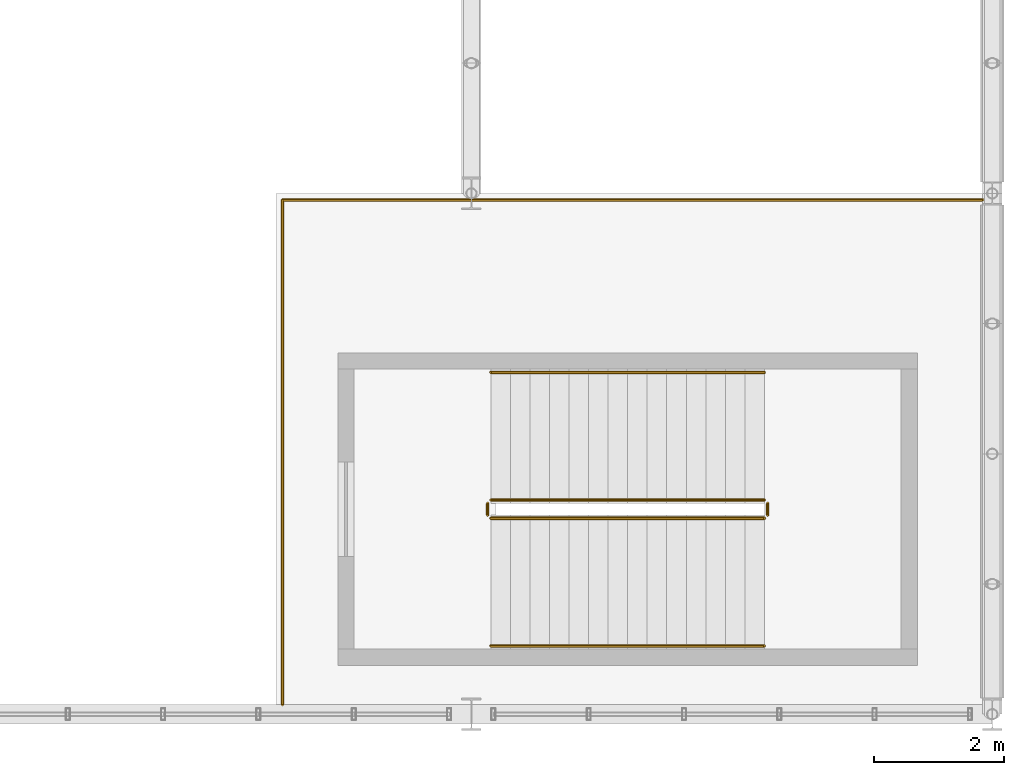
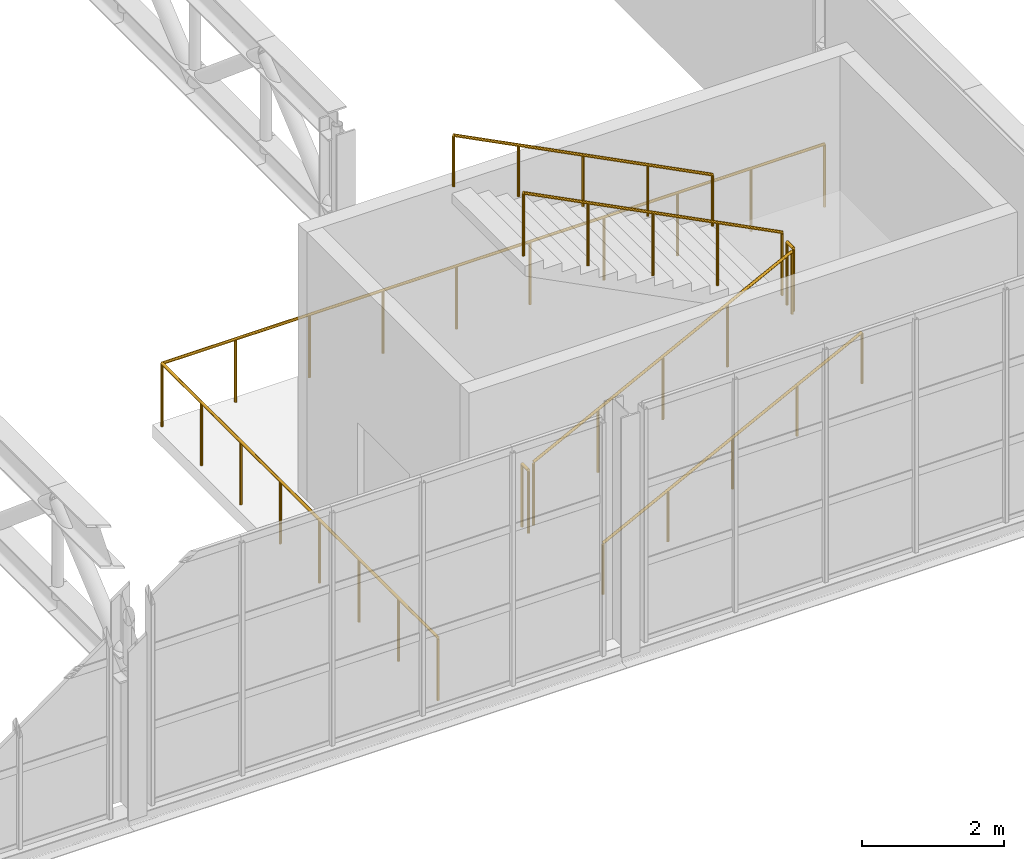
# One storey, part 63 of 67: 7 railings.
"""IFC4 building model written with IfcOpenShell, lengths in metres."""

import ifcopenshell
import ifcopenshell.guid

model = None  # the IFC model being written
_history = None  # IfcOwnerHistory: only IFC2X3 demands one
_inside = {}  # id of a spatial element -> (the spatial element, [elements in it])
_under = {}  # id of a project, library or spatial element -> (it, [spatial elements below it])
_declared = {}  # id of a project -> (the project, [libraries it declares])
_typed = {}  # id of a type object -> (the type object, [elements of that type])
_made_of = {}  # id of a material, layer set ... -> (it, [elements and type objects made of it])


def new_model(schema):
    """Start an empty IFC model of exactly this schema.

    Asked for "IFC4X3", IfcOpenShell would pick the latest addendum, in which some entities
    have other attributes; the version numbers below select the first issue.
    IFC2X3 requires an IfcOwnerHistory on every rooted entity: one is made here for all.
    """
    global model, _history
    if schema == "IFC4X3":
        model = ifcopenshell.file(schema_version=(4, 3, 0, 0))
    else:
        model = ifcopenshell.file(schema=schema)
    _inside.clear()
    _under.clear()
    _declared.clear()
    _typed.clear()
    _made_of.clear()
    _history = None
    if model.schema == "IFC2X3":
        org = make("IfcOrganization", Name="unknown")
        user = make(
            "IfcPersonAndOrganization",
            ThePerson=make("IfcPerson", FamilyName="unknown"),
            TheOrganization=org,
        )
        app = make(
            "IfcApplication",
            ApplicationDeveloper=org,
            Version="unknown",
            ApplicationFullName="unknown",
            ApplicationIdentifier="unknown",
        )
        _history = make(
            "IfcOwnerHistory",
            OwningUser=user,
            OwningApplication=app,
            ChangeAction="ADDED",
            CreationDate=0,
        )
    return model


def make(cls, **values):
    """One entity of the class cls with the attributes given. An attribute that is None is left unset."""
    return model.create_entity(
        cls, **{name: value for name, value in values.items() if value is not None}
    )


def rooted(cls, **values):
    """An entity with a GlobalId (a new one), such as an element, a storey or a relation."""
    return make(cls, GlobalId=ifcopenshell.guid.new(), OwnerHistory=_history, **values)


def si_unit(unit_type, name, prefix=None):
    """IfcSIUnit, for example si_unit("LENGTHUNIT", "METRE", prefix="MILLI")."""
    return make("IfcSIUnit", UnitType=unit_type, Prefix=prefix, Name=name)


def derived_unit(unit_type, elements):
    """IfcDerivedUnit: a product of units, each with its exponent."""
    return make(
        "IfcDerivedUnit",
        Elements=[
            make("IfcDerivedUnitElement", Unit=unit, Exponent=power)
            for unit, power in elements
        ],
        UnitType=unit_type,
    )


def assignment(units):
    """IfcUnitAssignment: the units of a project."""
    return None if units is None else make("IfcUnitAssignment", Units=units)


def point(xyz):
    """IfcCartesianPoint."""
    return None if xyz is None else make("IfcCartesianPoint", Coordinates=xyz)


def direction(xyz):
    """IfcDirection."""
    return None if xyz is None else make("IfcDirection", DirectionRatios=xyz)


def frame(location, z_axis=None, x_axis=None):
    """IfcAxis2Placement3D, a coordinate frame: its origin and axes. An axis left out is left unset."""
    return make(
        "IfcAxis2Placement3D",
        Location=point(location),
        Axis=direction(z_axis),
        RefDirection=direction(x_axis),
    )


def frame_2d(location, x_axis=None):
    """IfcAxis2Placement2D, a coordinate frame in the plane: its origin and x axis."""
    return make(
        "IfcAxis2Placement2D", Location=point(location), RefDirection=direction(x_axis)
    )


def origin():
    """The frame at (0, 0, 0) with its axes left unset."""
    return frame((0.0, 0.0, 0.0))


def origin_2d():
    """The frame at (0, 0) in the plane with its x axis left unset."""
    return frame_2d((0.0, 0.0))


def place(relative_to, where):
    """IfcLocalPlacement: puts the frame where relative to a parent placement (None: the world)."""
    return make(
        "IfcLocalPlacement", PlacementRelTo=relative_to, RelativePlacement=where
    )


def context(
    kind, dimensions, precision=None, world=None, true_north=None, identifier=None
):
    """IfcGeometricRepresentationContext, for example the 3D "Model" context."""
    return make(
        "IfcGeometricRepresentationContext",
        ContextIdentifier=identifier,
        ContextType=kind,
        CoordinateSpaceDimension=dimensions,
        Precision=precision,
        WorldCoordinateSystem=world,
        TrueNorth=true_north,
    )


def subcontext(parent, identifier, kind, view, scale=None):
    """IfcGeometricRepresentationSubContext, for example "Body" below "Model"."""
    return make(
        "IfcGeometricRepresentationSubContext",
        ContextIdentifier=identifier,
        ContextType=kind,
        ParentContext=parent,
        TargetScale=scale,
        TargetView=view,
    )


def project(units=None, contexts=None):
    """IfcProject with its units and contexts."""
    return rooted(
        "IfcProject",
        Name="project",
        RepresentationContexts=contexts,
        UnitsInContext=assignment(units),
    )


def spatial(cls, under=None, at=None, **own):
    """A site, building, storey or space (cls), placed at a placement, below another one or the project."""
    s = rooted(cls, ObjectPlacement=at, **own)
    if under is not None:
        _under.setdefault(under.id(), (under, []))[1].append(s)
    return s


def profile(cls, at=None, kind="AREA", **sizes):
    """A parametric profile (cls). Its sizes go by their IFC names, for example OverallWidth=200.0."""
    return make(cls, ProfileType=kind, Position=at, **sizes)


def circle(**sizes):
    """IfcCircleProfileDef."""
    return profile("IfcCircleProfileDef", **sizes)


def extrude(swept, where, along, depth):
    """IfcExtrudedAreaSolid: the profile swept, set in the frame where, extruded along a direction by depth."""
    return make(
        "IfcExtrudedAreaSolid",
        SweptArea=swept,
        Position=where,
        ExtrudedDirection=direction(along),
        Depth=depth,
    )


def shape(context_of_items, identifier, shape_type, items):
    """IfcShapeRepresentation: the items that make up one representation, for example the "Body"."""
    return make(
        "IfcShapeRepresentation",
        ContextOfItems=context_of_items,
        RepresentationIdentifier=identifier,
        RepresentationType=shape_type,
        Items=items,
    )


def material(Name=None, Category=None):
    """IfcMaterial."""
    return make("IfcMaterial", Name=Name, Category=Category)


def made_of(thing, what):
    """Note that an element or type object is made of a material, layer set ...; save() writes the relation."""
    if what is not None:
        _made_of.setdefault(what.id(), (what, []))[1].append(thing)
    return thing


def type_object(cls, material=None, **own):
    """A type object (cls), such as IfcWallType, which elements share."""
    return made_of(rooted(cls, **own), material)


def element(
    cls,
    number,
    at=None,
    inside=None,
    cuts=None,
    type_object=None,
    material=None,
    context=None,
    identifier="Body",
    shape_type=None,
    held_by="IfcProductDefinitionShape",
    body=None,
    shapes=None,
    **own,
):
    """One element of the class cls, such as IfcWall. Its Tag is "e" and its number.

    at: its placement. inside: the storey or other place that contains it. cuts: it is an
    opening in that element (IfcRelVoidsElement). A single representation is given by context,
    identifier, shape_type and body (its items); several are given by shapes. held_by: the class
    of the entity that holds the representations. save() writes the other relations.
    """
    e = rooted(cls, Tag="e%d" % number, ObjectPlacement=at, **own)
    if body is not None:
        shapes = [shape(context, identifier, shape_type, body)]
    if shapes is not None:
        e.Representation = make(held_by, Representations=shapes)
    if inside is not None:
        _inside.setdefault(inside.id(), (inside, []))[1].append(e)
    if cuts is not None:
        rooted(
            "IfcRelVoidsElement", RelatingBuildingElement=cuts, RelatedOpeningElement=e
        )
    if type_object is not None:
        _typed.setdefault(type_object.id(), (type_object, []))[1].append(e)
    return made_of(e, material)


def aggregate(whole, parts):
    """IfcRelAggregates: a whole, such as a stair, and the parts it consists of."""
    return rooted("IfcRelAggregates", RelatingObject=whole, RelatedObjects=parts)


def save(model, path):
    """Write the relations noted so far, then the file.

    IfcRelAggregates (storeys below a building ...), IfcRelContainedInSpatialStructure (elements
    in a storey), IfcRelDefinesByType, IfcRelAssociatesMaterial and IfcRelDeclares: one each for
    every whole, place, type object, material and project.
    """
    for whole, parts in _under.values():
        aggregate(whole, parts)
    for where, things in _inside.values():
        rooted(
            "IfcRelContainedInSpatialStructure",
            RelatedElements=things,
            RelatingStructure=where,
        )
    for kind, things in _typed.values():
        rooted("IfcRelDefinesByType", RelatedObjects=things, RelatingType=kind)
    for what, things in _made_of.values():
        rooted("IfcRelAssociatesMaterial", RelatedObjects=things, RelatingMaterial=what)
    for by, libraries in _declared.values():
        rooted("IfcRelDeclares", RelatingContext=by, RelatedDefinitions=libraries)
    model.write(path)


model = new_model("IFC4")

# Units and contexts
model_context = context("Model", 3, precision=1e-05, world=origin(), true_north=direction((0.0, 1.0)))
body_context = subcontext(model_context, "Body", "Model", "MODEL_VIEW")
ifc_project = project(units=[si_unit("LENGTHUNIT", "METRE"), si_unit("AREAUNIT", "SQUARE_METRE"), si_unit("VOLUMEUNIT", "CUBIC_METRE"), si_unit("PLANEANGLEUNIT", "RADIAN"), si_unit("MASSUNIT", "GRAM", prefix="KILO"), derived_unit("THERMALTRANSMITTANCEUNIT", [(si_unit("POWERUNIT", "WATT"), 1), (si_unit("LENGTHUNIT", "METRE"), -2), (si_unit("THERMODYNAMICTEMPERATUREUNIT", "KELVIN"), -1)])], contexts=[model_context])

# Site, building, storey
site_placement = place(None, origin())
site = spatial("IfcSite", under=ifc_project, at=site_placement, CompositionType="ELEMENT")
building_placement = place(site_placement, origin())
building = spatial("IfcBuilding", under=site, at=building_placement, Name="Keldorne Ridge Multi-Sports Centre", CompositionType="ELEMENT")
storey_placement = place(building_placement, frame((0.0, 0.0, 14.0)))
storey = spatial("IfcBuildingStorey", under=building, at=storey_placement, Name="L03", CompositionType="ELEMENT", Elevation=14.0)

# Railings
ifc_material_1 = material(Name="Laminated glass and stainless steel", Category="steel")
railing_type_1 = type_object("IfcRailingType", Name="RLG-BL-01", PredefinedType="BALUSTRADE", material=ifc_material_1)
railing_1_placement = place(storey_placement, frame((160.300048828125, 9.010009765625, 0.1533203125)))
element("IfcRailing", 1, at=railing_1_placement, inside=storey, type_object=railing_type_1, Name="L03 ST-05 stair guard 1", PredefinedType="BALUSTRADE", context=body_context, shape_type="SweptSolid", body=[
    extrude(circle(Radius=0.02392578125, at=origin_2d()), frame((0.0, 0.0, 1.076171875), z_axis=(0.890427224097, 0.0, 0.455125651426), x_axis=(0.0, 1.0, 0.0)), (0.0, 0.0, 1.0), 4.716796875),
    extrude(circle(Radius=0.02099609375, at=origin_2d()), origin(), (0.0, 0.0, 1.0), 1.052001953125),
    extrude(circle(Radius=0.02099609375, at=origin_2d()), frame((1.050048828125, 0.0, 0.53662109375)), (0.0, 0.0, 1.0), 1.052001953125),
    extrude(circle(Radius=0.02099609375, at=origin_2d()), frame((2.10009765625, 0.0, 1.0732421875)), (0.0, 0.0, 1.0), 1.052001953125),
    extrude(circle(Radius=0.02099609375, at=origin_2d()), frame((3.14990234375, 0.0, 1.610107421875)), (0.0, 0.0, 1.0), 1.052001953125),
    extrude(circle(Radius=0.02099609375, at=origin_2d()), frame((4.199951171875, 0.0, 2.146728515625)), (0.0, 0.0, 1.0), 1.052001953125),
])
railing_2_placement = place(storey_placement, frame((164.550048828125, 9.06005859375, 2.300048828125)))
element("IfcRailing", 2, at=railing_2_placement, inside=storey, type_object=railing_type_1, Name="L03 ST-05 stair guard 2", PredefinedType="BALUSTRADE", context=body_context, shape_type="SweptSolid", body=[
    extrude(circle(Radius=0.02392578125, at=origin_2d()), frame((0.0, 0.0, 1.076171875), z_axis=(0.0, 1.0, 0.0), x_axis=(-1.0, 0.0, 0.0)), (0.0, 0.0, 1.0), 0.179931640625),
    extrude(circle(Radius=0.02099609375, at=origin_2d()), origin(), (0.0, 0.0, 1.0), 1.052001953125),
    extrude(circle(Radius=0.02099609375, at=origin_2d()), frame((0.0, 0.179931640625, 0.0)), (0.0, 0.0, 1.0), 1.052001953125),
])
railing_3_placement = place(storey_placement, frame((164.5, 9.2900390625, 2.453369140625)))
element("IfcRailing", 3, at=railing_3_placement, inside=storey, type_object=railing_type_1, Name="L03 ST-05 stair guard 3", PredefinedType="BALUSTRADE", context=body_context, shape_type="SweptSolid", body=[
    extrude(circle(Radius=0.02392578125, at=origin_2d()), frame((0.0, 0.0, 1.076171875), z_axis=(-0.890427224097, 0.0, 0.455125651426), x_axis=(0.0, -1.0, 0.0)), (0.0, 0.0, 1.0), 4.716796875),
    extrude(circle(Radius=0.02099609375, at=origin_2d()), origin(), (0.0, 0.0, 1.0), 1.052001953125),
    extrude(circle(Radius=0.02099609375, at=origin_2d()), frame((-1.050048828125, 0.0, 0.53662109375)), (0.0, 0.0, 1.0), 1.052001953125),
    extrude(circle(Radius=0.02099609375, at=origin_2d()), frame((-2.10009765625, 0.0, 1.0732421875)), (0.0, 0.0, 1.0), 1.052001953125),
    extrude(circle(Radius=0.02099609375, at=origin_2d()), frame((-3.14990234375, 0.0, 1.610107421875)), (0.0, 0.0, 1.0), 1.052001953125),
    extrude(circle(Radius=0.02099609375, at=origin_2d()), frame((-4.199951171875, 0.0, 2.146728515625)), (0.0, 0.0, 1.0), 1.052001953125),
])
railing_4_placement = place(storey_placement, frame((160.25, 9.06005859375, 0.0)))
element("IfcRailing", 4, at=railing_4_placement, inside=storey, type_object=railing_type_1, Name="L03 ST-05 stair guard 4", PredefinedType="BALUSTRADE", context=body_context, shape_type="SweptSolid", body=[
    extrude(circle(Radius=0.02392578125, at=origin_2d()), frame((0.0, 0.0, 1.076171875), z_axis=(0.0, 1.0, 0.0), x_axis=(-1.0, 0.0, 0.0)), (0.0, 0.0, 1.0), 0.179931640625),
    extrude(circle(Radius=0.02099609375, at=origin_2d()), origin(), (0.0, 0.0, 1.0), 1.052001953125),
    extrude(circle(Radius=0.02099609375, at=origin_2d()), frame((0.0, 0.179931640625, 0.0)), (0.0, 0.0, 1.0), 1.052001953125),
])
railing_5_placement = place(storey_placement, frame((157.10009765625, 6.14990234375, 0.0)))
element("IfcRailing", 5, at=railing_5_placement, inside=storey, type_object=railing_type_1, Name="Safety balustrade RLG-V2-C5-L03", PredefinedType="BALUSTRADE", context=body_context, shape_type="SweptSolid", body=[
    extrude(circle(Radius=0.02392578125, at=origin_2d()), frame((0.0, 0.0, 1.076171875), z_axis=(0.0, 1.0, 0.0), x_axis=(-1.0, 0.0, 0.0)), (0.0, 0.0, 1.0), 7.75),
    extrude(circle(Radius=0.02392578125, at=origin_2d()), frame((0.0, 7.75, 1.076171875), z_axis=(1.0, 0.0, 0.0), x_axis=(0.0, 1.0, 0.0)), (0.0, 0.0, 1.0), 10.75),
    extrude(circle(Radius=0.02099609375, at=origin_2d()), origin(), (0.0, 0.0, 1.0), 1.052001953125),
    extrude(circle(Radius=0.02099609375, at=origin_2d()), frame((0.0, 1.107177734375, 0.0)), (0.0, 0.0, 1.0), 1.052001953125),
    extrude(circle(Radius=0.02099609375, at=origin_2d()), frame((0.0, 2.21435546875, 0.0)), (0.0, 0.0, 1.0), 1.052001953125),
    extrude(circle(Radius=0.02099609375, at=origin_2d()), frame((0.0, 3.321533203125, 0.0)), (0.0, 0.0, 1.0), 1.052001953125),
    extrude(circle(Radius=0.02099609375, at=origin_2d()), frame((0.0, 4.428466796875, 0.0)), (0.0, 0.0, 1.0), 1.052001953125),
    extrude(circle(Radius=0.02099609375, at=origin_2d()), frame((0.0, 5.53564453125, 0.0)), (0.0, 0.0, 1.0), 1.052001953125),
    extrude(circle(Radius=0.02099609375, at=origin_2d()), frame((0.0, 6.642822265625, 0.0)), (0.0, 0.0, 1.0), 1.052001953125),
    extrude(circle(Radius=0.02099609375, at=origin_2d()), frame((0.0, 7.75, 0.0)), (0.0, 0.0, 1.0), 1.052001953125),
    extrude(circle(Radius=0.02099609375, at=origin_2d()), frame((1.1943359375, 7.75, 0.0)), (0.0, 0.0, 1.0), 1.052001953125),
    extrude(circle(Radius=0.02099609375, at=origin_2d()), frame((2.388916015625, 7.75, 0.0)), (0.0, 0.0, 1.0), 1.052001953125),
    extrude(circle(Radius=0.02099609375, at=origin_2d()), frame((3.583251953125, 7.75, 0.0)), (0.0, 0.0, 1.0), 1.052001953125),
    extrude(circle(Radius=0.02099609375, at=origin_2d()), frame((4.77783203125, 7.75, 0.0)), (0.0, 0.0, 1.0), 1.052001953125),
    extrude(circle(Radius=0.02099609375, at=origin_2d()), frame((5.97216796875, 7.75, 0.0)), (0.0, 0.0, 1.0), 1.052001953125),
    extrude(circle(Radius=0.02099609375, at=origin_2d()), frame((7.166748046875, 7.75, 0.0)), (0.0, 0.0, 1.0), 1.052001953125),
    extrude(circle(Radius=0.02099609375, at=origin_2d()), frame((8.361083984375, 7.75, 0.0)), (0.0, 0.0, 1.0), 1.052001953125),
    extrude(circle(Radius=0.02099609375, at=origin_2d()), frame((9.5556640625, 7.75, 0.0)), (0.0, 0.0, 1.0), 1.052001953125),
    extrude(circle(Radius=0.02099609375, at=origin_2d()), frame((10.75, 7.75, 0.0)), (0.0, 0.0, 1.0), 1.052001953125),
])
ifc_material_2 = material(Name="Stainless steel", Category="steel")
railing_type_2 = type_object("IfcRailingType", Name="RLG-HR-01", PredefinedType="HANDRAIL", material=ifc_material_2)
railing_6_placement = place(storey_placement, frame((160.300048828125, 7.050048828125, 0.1533203125)))
element("IfcRailing", 6, at=railing_6_placement, inside=storey, type_object=railing_type_2, Name="L03 ST-05 stair handrail 1", PredefinedType="HANDRAIL", context=body_context, shape_type="SweptSolid", body=[
    extrude(circle(Radius=0.02392578125, at=origin_2d()), frame((0.0, 0.0, 0.8759765625), z_axis=(0.890427224097, 0.0, 0.455125651426), x_axis=(0.0, 1.0, 0.0)), (0.0, 0.0, 1.0), 4.716796875),
    extrude(circle(Radius=0.02099609375, at=origin_2d()), origin(), (0.0, 0.0, 1.0), 0.851806640625),
    extrude(circle(Radius=0.02099609375, at=origin_2d()), frame((1.050048828125, 0.0, 0.53662109375)), (0.0, 0.0, 1.0), 0.851806640625),
    extrude(circle(Radius=0.02099609375, at=origin_2d()), frame((2.10009765625, 0.0, 1.0732421875)), (0.0, 0.0, 1.0), 0.851806640625),
    extrude(circle(Radius=0.02099609375, at=origin_2d()), frame((3.14990234375, 0.0, 1.610107421875)), (0.0, 0.0, 1.0), 0.851806640625),
    extrude(circle(Radius=0.02099609375, at=origin_2d()), frame((4.199951171875, 0.0, 2.146728515625)), (0.0, 0.0, 1.0), 0.851806640625),
])
railing_7_placement = place(storey_placement, frame((164.5, 11.25, 2.453369140625)))
element("IfcRailing", 7, at=railing_7_placement, inside=storey, type_object=railing_type_2, Name="L03 ST-05 stair handrail 2", PredefinedType="HANDRAIL", context=body_context, shape_type="SweptSolid", body=[
    extrude(circle(Radius=0.02392578125, at=origin_2d()), frame((0.0, 0.0, 0.8759765625), z_axis=(-0.890427224097, 0.0, 0.455125651426), x_axis=(0.0, -1.0, 0.0)), (0.0, 0.0, 1.0), 4.716796875),
    extrude(circle(Radius=0.02099609375, at=origin_2d()), origin(), (0.0, 0.0, 1.0), 0.851806640625),
    extrude(circle(Radius=0.02099609375, at=origin_2d()), frame((-1.050048828125, 0.0, 0.53662109375)), (0.0, 0.0, 1.0), 0.851806640625),
    extrude(circle(Radius=0.02099609375, at=origin_2d()), frame((-2.10009765625, 0.0, 1.0732421875)), (0.0, 0.0, 1.0), 0.851806640625),
    extrude(circle(Radius=0.02099609375, at=origin_2d()), frame((-3.14990234375, 0.0, 1.610107421875)), (0.0, 0.0, 1.0), 0.851806640625),
    extrude(circle(Radius=0.02099609375, at=origin_2d()), frame((-4.199951171875, 0.0, 2.146728515625)), (0.0, 0.0, 1.0), 0.851806640625),
])

save(model, "model.ifc")
